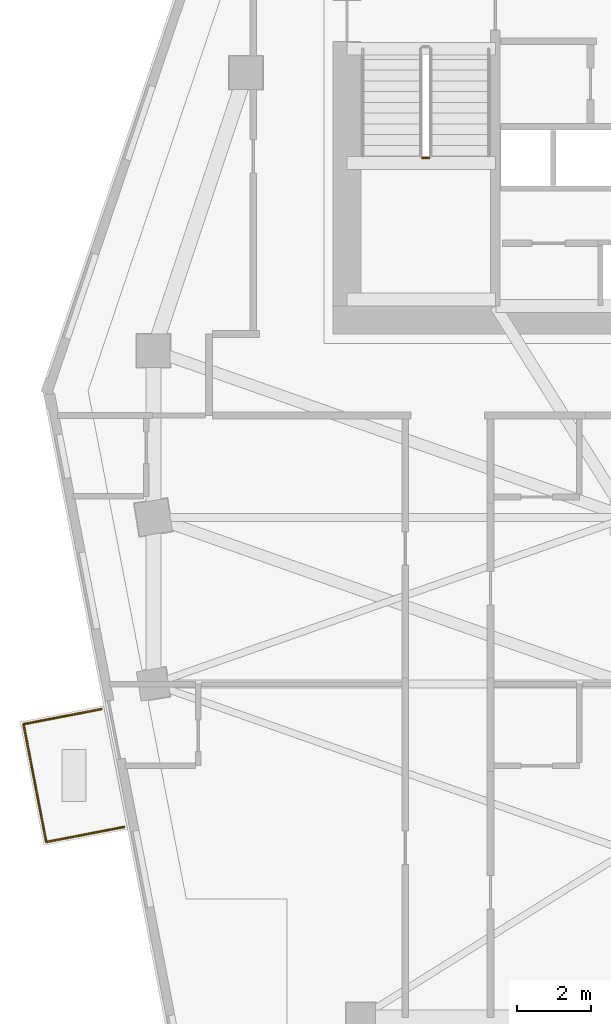
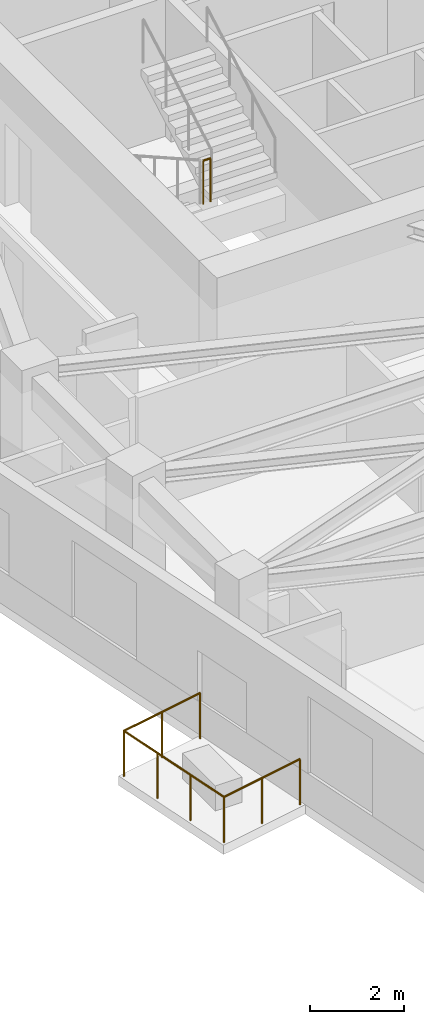
# One storey, part 9 of 11: 4 railings.
"""IFC4 building model written with IfcOpenShell, lengths in metres."""

import ifcopenshell
import ifcopenshell.guid

model = None  # the IFC model being written
_history = None  # IfcOwnerHistory: only IFC2X3 demands one
_inside = {}  # id of a spatial element -> (the spatial element, [elements in it])
_under = {}  # id of a project, library or spatial element -> (it, [spatial elements below it])
_declared = {}  # id of a project -> (the project, [libraries it declares])
_typed = {}  # id of a type object -> (the type object, [elements of that type])
_made_of = {}  # id of a material, layer set ... -> (it, [elements and type objects made of it])


def new_model(schema):
    """Start an empty IFC model of exactly this schema.

    Asked for "IFC4X3", IfcOpenShell would pick the latest addendum, in which some entities
    have other attributes; the version numbers below select the first issue.
    IFC2X3 requires an IfcOwnerHistory on every rooted entity: one is made here for all.
    """
    global model, _history
    if schema == "IFC4X3":
        model = ifcopenshell.file(schema_version=(4, 3, 0, 0))
    else:
        model = ifcopenshell.file(schema=schema)
    _inside.clear()
    _under.clear()
    _declared.clear()
    _typed.clear()
    _made_of.clear()
    _history = None
    if model.schema == "IFC2X3":
        org = make("IfcOrganization", Name="unknown")
        user = make(
            "IfcPersonAndOrganization",
            ThePerson=make("IfcPerson", FamilyName="unknown"),
            TheOrganization=org,
        )
        app = make(
            "IfcApplication",
            ApplicationDeveloper=org,
            Version="unknown",
            ApplicationFullName="unknown",
            ApplicationIdentifier="unknown",
        )
        _history = make(
            "IfcOwnerHistory",
            OwningUser=user,
            OwningApplication=app,
            ChangeAction="ADDED",
            CreationDate=0,
        )
    return model


def make(cls, **values):
    """One entity of the class cls with the attributes given. An attribute that is None is left unset."""
    return model.create_entity(
        cls, **{name: value for name, value in values.items() if value is not None}
    )


def rooted(cls, **values):
    """An entity with a GlobalId (a new one), such as an element, a storey or a relation."""
    return make(cls, GlobalId=ifcopenshell.guid.new(), OwnerHistory=_history, **values)


def si_unit(unit_type, name, prefix=None):
    """IfcSIUnit, for example si_unit("LENGTHUNIT", "METRE", prefix="MILLI")."""
    return make("IfcSIUnit", UnitType=unit_type, Prefix=prefix, Name=name)


def assignment(units):
    """IfcUnitAssignment: the units of a project."""
    return None if units is None else make("IfcUnitAssignment", Units=units)


def point(xyz):
    """IfcCartesianPoint."""
    return None if xyz is None else make("IfcCartesianPoint", Coordinates=xyz)


def direction(xyz):
    """IfcDirection."""
    return None if xyz is None else make("IfcDirection", DirectionRatios=xyz)


def frame(location, z_axis=None, x_axis=None):
    """IfcAxis2Placement3D, a coordinate frame: its origin and axes. An axis left out is left unset."""
    return make(
        "IfcAxis2Placement3D",
        Location=point(location),
        Axis=direction(z_axis),
        RefDirection=direction(x_axis),
    )


def frame_2d(location, x_axis=None):
    """IfcAxis2Placement2D, a coordinate frame in the plane: its origin and x axis."""
    return make(
        "IfcAxis2Placement2D", Location=point(location), RefDirection=direction(x_axis)
    )


def origin():
    """The frame at (0, 0, 0) with its axes left unset."""
    return frame((0.0, 0.0, 0.0))


def origin_2d():
    """The frame at (0, 0) in the plane with its x axis left unset."""
    return frame_2d((0.0, 0.0))


def place(relative_to, where):
    """IfcLocalPlacement: puts the frame where relative to a parent placement (None: the world)."""
    return make(
        "IfcLocalPlacement", PlacementRelTo=relative_to, RelativePlacement=where
    )


def context(
    kind, dimensions, precision=None, world=None, true_north=None, identifier=None
):
    """IfcGeometricRepresentationContext, for example the 3D "Model" context."""
    return make(
        "IfcGeometricRepresentationContext",
        ContextIdentifier=identifier,
        ContextType=kind,
        CoordinateSpaceDimension=dimensions,
        Precision=precision,
        WorldCoordinateSystem=world,
        TrueNorth=true_north,
    )


def subcontext(parent, identifier, kind, view, scale=None):
    """IfcGeometricRepresentationSubContext, for example "Body" below "Model"."""
    return make(
        "IfcGeometricRepresentationSubContext",
        ContextIdentifier=identifier,
        ContextType=kind,
        ParentContext=parent,
        TargetScale=scale,
        TargetView=view,
    )


def project(units=None, contexts=None):
    """IfcProject with its units and contexts."""
    return rooted(
        "IfcProject",
        Name="project",
        RepresentationContexts=contexts,
        UnitsInContext=assignment(units),
    )


def spatial(cls, under=None, at=None, **own):
    """A site, building, storey or space (cls), placed at a placement, below another one or the project."""
    s = rooted(cls, ObjectPlacement=at, **own)
    if under is not None:
        _under.setdefault(under.id(), (under, []))[1].append(s)
    return s


def profile(cls, at=None, kind="AREA", **sizes):
    """A parametric profile (cls). Its sizes go by their IFC names, for example OverallWidth=200.0."""
    return make(cls, ProfileType=kind, Position=at, **sizes)


def circle(**sizes):
    """IfcCircleProfileDef."""
    return profile("IfcCircleProfileDef", **sizes)


def extrude(swept, where, along, depth):
    """IfcExtrudedAreaSolid: the profile swept, set in the frame where, extruded along a direction by depth."""
    return make(
        "IfcExtrudedAreaSolid",
        SweptArea=swept,
        Position=where,
        ExtrudedDirection=direction(along),
        Depth=depth,
    )


def shape(context_of_items, identifier, shape_type, items):
    """IfcShapeRepresentation: the items that make up one representation, for example the "Body"."""
    return make(
        "IfcShapeRepresentation",
        ContextOfItems=context_of_items,
        RepresentationIdentifier=identifier,
        RepresentationType=shape_type,
        Items=items,
    )


def material(Name=None, Category=None):
    """IfcMaterial."""
    return make("IfcMaterial", Name=Name, Category=Category)


def made_of(thing, what):
    """Note that an element or type object is made of a material, layer set ...; save() writes the relation."""
    if what is not None:
        _made_of.setdefault(what.id(), (what, []))[1].append(thing)
    return thing


def type_object(cls, material=None, **own):
    """A type object (cls), such as IfcWallType, which elements share."""
    return made_of(rooted(cls, **own), material)


def element(
    cls,
    number,
    at=None,
    inside=None,
    cuts=None,
    type_object=None,
    material=None,
    context=None,
    identifier="Body",
    shape_type=None,
    held_by="IfcProductDefinitionShape",
    body=None,
    shapes=None,
    **own,
):
    """One element of the class cls, such as IfcWall. Its Tag is "e" and its number.

    at: its placement. inside: the storey or other place that contains it. cuts: it is an
    opening in that element (IfcRelVoidsElement). A single representation is given by context,
    identifier, shape_type and body (its items); several are given by shapes. held_by: the class
    of the entity that holds the representations. save() writes the other relations.
    """
    e = rooted(cls, Tag="e%d" % number, ObjectPlacement=at, **own)
    if body is not None:
        shapes = [shape(context, identifier, shape_type, body)]
    if shapes is not None:
        e.Representation = make(held_by, Representations=shapes)
    if inside is not None:
        _inside.setdefault(inside.id(), (inside, []))[1].append(e)
    if cuts is not None:
        rooted(
            "IfcRelVoidsElement", RelatingBuildingElement=cuts, RelatedOpeningElement=e
        )
    if type_object is not None:
        _typed.setdefault(type_object.id(), (type_object, []))[1].append(e)
    return made_of(e, material)


def aggregate(whole, parts):
    """IfcRelAggregates: a whole, such as a stair, and the parts it consists of."""
    return rooted("IfcRelAggregates", RelatingObject=whole, RelatedObjects=parts)


def save(model, path):
    """Write the relations noted so far, then the file.

    IfcRelAggregates (storeys below a building ...), IfcRelContainedInSpatialStructure (elements
    in a storey), IfcRelDefinesByType, IfcRelAssociatesMaterial and IfcRelDeclares: one each for
    every whole, place, type object, material and project.
    """
    for whole, parts in _under.values():
        aggregate(whole, parts)
    for where, things in _inside.values():
        rooted(
            "IfcRelContainedInSpatialStructure",
            RelatedElements=things,
            RelatingStructure=where,
        )
    for kind, things in _typed.values():
        rooted("IfcRelDefinesByType", RelatedObjects=things, RelatingType=kind)
    for what, things in _made_of.values():
        rooted("IfcRelAssociatesMaterial", RelatedObjects=things, RelatingMaterial=what)
    for by, libraries in _declared.values():
        rooted("IfcRelDeclares", RelatingContext=by, RelatedDefinitions=libraries)
    model.write(path)


model = new_model("IFC4")

# Units and contexts
model_context = context("Model", 3, precision=1e-05, world=origin(), true_north=direction((0.0, 1.0)))
body_context = subcontext(model_context, "Body", "Model", "MODEL_VIEW")
ifc_project = project(units=[si_unit("LENGTHUNIT", "METRE"), si_unit("AREAUNIT", "SQUARE_METRE"), si_unit("VOLUMEUNIT", "CUBIC_METRE"), si_unit("PLANEANGLEUNIT", "RADIAN"), si_unit("MASSUNIT", "GRAM", prefix="KILO")], contexts=[model_context])

# Site, building, storey
site_placement = place(None, origin())
site = spatial("IfcSite", under=ifc_project, at=site_placement, CompositionType="ELEMENT")
building_placement = place(site_placement, origin())
building = spatial("IfcBuilding", under=site, at=building_placement, Name="Calvemar Wedge Station Tower", CompositionType="ELEMENT")
storey_placement = place(building_placement, frame((0.0, 0.0, 117.800048828125)))
storey = spatial("IfcBuildingStorey", under=building, at=storey_placement, Name="L28", CompositionType="ELEMENT", Elevation=117.800048828125)

# Railings
ifc_material_1 = material(Name="Stainless steel AISI 316L", Category="steel")
railing_type_1 = type_object("IfcRailingType", Name="GRD-TERR-1200", PredefinedType="GUARDRAIL", material=ifc_material_1)
railing_1_placement = place(storey_placement, frame((10.209228515625, 20.144287109375, 0.0)))
element("IfcRailing", 1, at=railing_1_placement, inside=storey, type_object=railing_type_1, Name="Storey L28 Spiral Terrace Guard 2", PredefinedType="GUARDRAIL", context=body_context, shape_type="SweptSolid", body=[
    extrude(circle(Radius=0.02392578125, at=origin_2d()), frame((0.0, 0.0, 1.17578125), z_axis=(-0.981875176811, -0.189528723845, 0.0), x_axis=(0.189528723845, -0.981875176811, 0.0)), (0.0, 0.0, 1.0), 2.1396484375),
    extrude(circle(Radius=0.02099609375, at=origin_2d()), origin(), (0.0, 0.0, 1.0), 1.15185546875),
    extrude(circle(Radius=0.02099609375, at=origin_2d()), frame((-1.05029296875, -0.20263671875, 0.0)), (0.0, 0.0, 1.0), 1.15185546875),
    extrude(circle(Radius=0.02099609375, at=origin_2d()), frame((-2.100830078125, -0.405517578125, 0.0)), (0.0, 0.0, 1.0), 1.15185546875),
])
railing_2_placement = place(storey_placement, frame((8.1083984375, 19.73876953125, 0.0)))
element("IfcRailing", 2, at=railing_2_placement, inside=storey, type_object=railing_type_1, Name="Storey L28 Spiral Terrace Guard 3", PredefinedType="GUARDRAIL", context=body_context, shape_type="SweptSolid", body=[
    extrude(circle(Radius=0.02392578125, at=origin_2d()), frame((0.0, 0.0, 1.17578125), z_axis=(-0.189750098435, 0.981832419583, 0.0), x_axis=(-0.981832419583, -0.189750098435, 0.0)), (0.0, 0.0, 1.0), 3.23974609375),
    extrude(circle(Radius=0.02099609375, at=origin_2d()), origin(), (0.0, 0.0, 1.0), 1.15185546875),
    extrude(circle(Radius=0.02099609375, at=origin_2d()), frame((-0.204833984375, 1.060302734375, 0.0)), (0.0, 0.0, 1.0), 1.15185546875),
    extrude(circle(Radius=0.02099609375, at=origin_2d()), frame((-0.409912109375, 2.12060546875, 0.0)), (0.0, 0.0, 1.0), 1.15185546875),
    extrude(circle(Radius=0.02099609375, at=origin_2d()), frame((-0.61474609375, 3.180908203125, 0.0)), (0.0, 0.0, 1.0), 1.15185546875),
])
railing_3_placement = place(storey_placement, frame((7.49365234375, 22.919677734375, 0.0)))
element("IfcRailing", 3, at=railing_3_placement, inside=storey, type_object=railing_type_1, Name="Storey L28 Spiral Terrace Guard 4", PredefinedType="GUARDRAIL", context=body_context, shape_type="SweptSolid", body=[
    extrude(circle(Radius=0.02392578125, at=origin_2d()), frame((0.0, 0.0, 1.17578125), z_axis=(0.981875176811, 0.189528723845, 0.0), x_axis=(-0.189528723845, 0.981875176811, 0.0)), (0.0, 0.0, 1.0), 2.1396484375),
    extrude(circle(Radius=0.02099609375, at=origin_2d()), origin(), (0.0, 0.0, 1.0), 1.15185546875),
    extrude(circle(Radius=0.02099609375, at=origin_2d()), frame((1.05029296875, 0.20263671875, 0.0)), (0.0, 0.0, 1.0), 1.15185546875),
    extrude(circle(Radius=0.02099609375, at=origin_2d()), frame((2.100830078125, 0.405517578125, 0.0)), (0.0, 0.0, 1.0), 1.15185546875),
])
ifc_material_2 = material(Name="Painted steel guardrail ASTM A500 Grade C", Category="steel")
railing_type_2 = type_object("IfcRailingType", Name="RL-STAIR-GUARD-1150", PredefinedType="GUARDRAIL", material=ifc_material_2)
railing_4_placement = place(storey_placement, frame((18.260009765625, 38.199951171875, 1.800048828125)))
element("IfcRailing", 4, at=railing_4_placement, inside=storey, type_object=railing_type_2, Name="L28 ST-C1 stair guard 2", PredefinedType="GUARDRAIL", context=body_context, shape_type="SweptSolid", body=[
    extrude(circle(Radius=0.02392578125, at=origin_2d()), frame((0.0, 0.0, 1.1259765625), z_axis=(1.0, 0.0, 0.0), x_axis=(0.0, 1.0, 0.0)), (0.0, 0.0, 1.0), 0.179931640625),
    extrude(circle(Radius=0.02099609375, at=origin_2d()), origin(), (0.0, 0.0, 1.0), 1.101806640625),
    extrude(circle(Radius=0.02099609375, at=origin_2d()), frame((0.179931640625, 0.0, 0.0)), (0.0, 0.0, 1.0), 1.101806640625),
])

save(model, "model.ifc")
